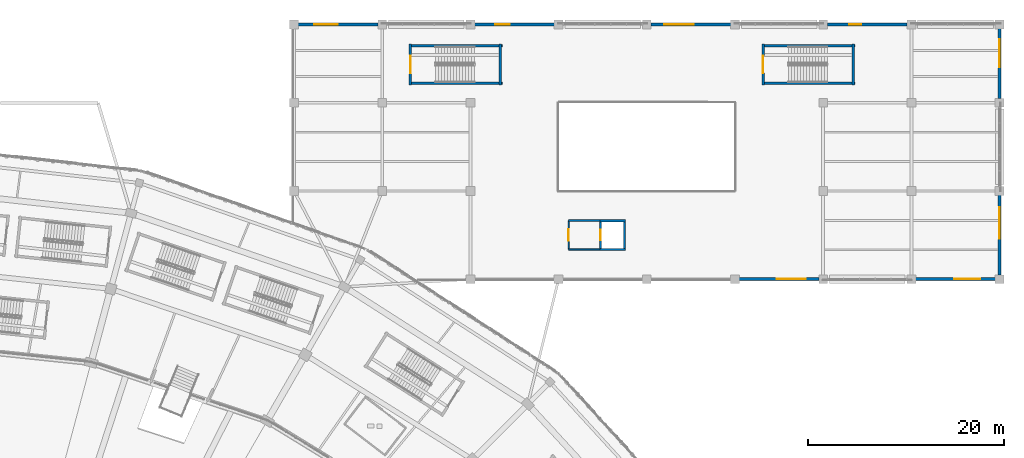
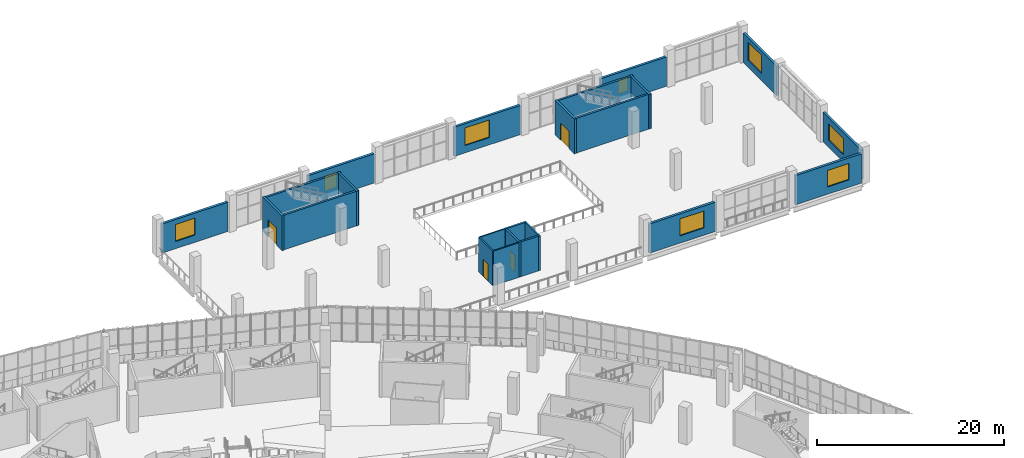
# One storey, part 112 of 183: 23 walls, 8 windows, 4 doors, 12 openings.
"""IFC4 building model written with IfcOpenShell, lengths in metres."""

import ifcopenshell
import ifcopenshell.guid

model = None  # the IFC model being written
_history = None  # IfcOwnerHistory: only IFC2X3 demands one
_inside = {}  # id of a spatial element -> (the spatial element, [elements in it])
_under = {}  # id of a project, library or spatial element -> (it, [spatial elements below it])
_declared = {}  # id of a project -> (the project, [libraries it declares])
_typed = {}  # id of a type object -> (the type object, [elements of that type])
_made_of = {}  # id of a material, layer set ... -> (it, [elements and type objects made of it])


def new_model(schema):
    """Start an empty IFC model of exactly this schema.

    Asked for "IFC4X3", IfcOpenShell would pick the latest addendum, in which some entities
    have other attributes; the version numbers below select the first issue.
    IFC2X3 requires an IfcOwnerHistory on every rooted entity: one is made here for all.
    """
    global model, _history
    if schema == "IFC4X3":
        model = ifcopenshell.file(schema_version=(4, 3, 0, 0))
    else:
        model = ifcopenshell.file(schema=schema)
    _inside.clear()
    _under.clear()
    _declared.clear()
    _typed.clear()
    _made_of.clear()
    _history = None
    if model.schema == "IFC2X3":
        org = make("IfcOrganization", Name="unknown")
        user = make(
            "IfcPersonAndOrganization",
            ThePerson=make("IfcPerson", FamilyName="unknown"),
            TheOrganization=org,
        )
        app = make(
            "IfcApplication",
            ApplicationDeveloper=org,
            Version="unknown",
            ApplicationFullName="unknown",
            ApplicationIdentifier="unknown",
        )
        _history = make(
            "IfcOwnerHistory",
            OwningUser=user,
            OwningApplication=app,
            ChangeAction="ADDED",
            CreationDate=0,
        )
    return model


def make(cls, **values):
    """One entity of the class cls with the attributes given. An attribute that is None is left unset."""
    return model.create_entity(
        cls, **{name: value for name, value in values.items() if value is not None}
    )


def rooted(cls, **values):
    """An entity with a GlobalId (a new one), such as an element, a storey or a relation."""
    return make(cls, GlobalId=ifcopenshell.guid.new(), OwnerHistory=_history, **values)


def si_unit(unit_type, name, prefix=None):
    """IfcSIUnit, for example si_unit("LENGTHUNIT", "METRE", prefix="MILLI")."""
    return make("IfcSIUnit", UnitType=unit_type, Prefix=prefix, Name=name)


def assignment(units):
    """IfcUnitAssignment: the units of a project."""
    return None if units is None else make("IfcUnitAssignment", Units=units)


def point(xyz):
    """IfcCartesianPoint."""
    return None if xyz is None else make("IfcCartesianPoint", Coordinates=xyz)


def direction(xyz):
    """IfcDirection."""
    return None if xyz is None else make("IfcDirection", DirectionRatios=xyz)


def frame(location, z_axis=None, x_axis=None):
    """IfcAxis2Placement3D, a coordinate frame: its origin and axes. An axis left out is left unset."""
    return make(
        "IfcAxis2Placement3D",
        Location=point(location),
        Axis=direction(z_axis),
        RefDirection=direction(x_axis),
    )


def frame_2d(location, x_axis=None):
    """IfcAxis2Placement2D, a coordinate frame in the plane: its origin and x axis."""
    return make(
        "IfcAxis2Placement2D", Location=point(location), RefDirection=direction(x_axis)
    )


def origin():
    """The frame at (0, 0, 0) with its axes left unset."""
    return frame((0.0, 0.0, 0.0))


def place(relative_to, where):
    """IfcLocalPlacement: puts the frame where relative to a parent placement (None: the world)."""
    return make(
        "IfcLocalPlacement", PlacementRelTo=relative_to, RelativePlacement=where
    )


def context(
    kind, dimensions, precision=None, world=None, true_north=None, identifier=None
):
    """IfcGeometricRepresentationContext, for example the 3D "Model" context."""
    return make(
        "IfcGeometricRepresentationContext",
        ContextIdentifier=identifier,
        ContextType=kind,
        CoordinateSpaceDimension=dimensions,
        Precision=precision,
        WorldCoordinateSystem=world,
        TrueNorth=true_north,
    )


def subcontext(parent, identifier, kind, view, scale=None):
    """IfcGeometricRepresentationSubContext, for example "Body" below "Model"."""
    return make(
        "IfcGeometricRepresentationSubContext",
        ContextIdentifier=identifier,
        ContextType=kind,
        ParentContext=parent,
        TargetScale=scale,
        TargetView=view,
    )


def project(units=None, contexts=None):
    """IfcProject with its units and contexts."""
    return rooted(
        "IfcProject",
        Name="project",
        RepresentationContexts=contexts,
        UnitsInContext=assignment(units),
    )


def spatial(cls, under=None, at=None, **own):
    """A site, building, storey or space (cls), placed at a placement, below another one or the project."""
    s = rooted(cls, ObjectPlacement=at, **own)
    if under is not None:
        _under.setdefault(under.id(), (under, []))[1].append(s)
    return s


def profile(cls, at=None, kind="AREA", **sizes):
    """A parametric profile (cls). Its sizes go by their IFC names, for example OverallWidth=200.0."""
    return make(cls, ProfileType=kind, Position=at, **sizes)


def rectangle(**sizes):
    """IfcRectangleProfileDef."""
    return profile("IfcRectangleProfileDef", **sizes)


def extrude(swept, where, along, depth):
    """IfcExtrudedAreaSolid: the profile swept, set in the frame where, extruded along a direction by depth."""
    return make(
        "IfcExtrudedAreaSolid",
        SweptArea=swept,
        Position=where,
        ExtrudedDirection=direction(along),
        Depth=depth,
    )


def shape(context_of_items, identifier, shape_type, items):
    """IfcShapeRepresentation: the items that make up one representation, for example the "Body"."""
    return make(
        "IfcShapeRepresentation",
        ContextOfItems=context_of_items,
        RepresentationIdentifier=identifier,
        RepresentationType=shape_type,
        Items=items,
    )


def material(Name=None, Category=None):
    """IfcMaterial."""
    return make("IfcMaterial", Name=Name, Category=Category)


def layer(
    of_material, thickness, ventilated=None, Name=None, Category=None, Priority=None
):
    """IfcMaterialLayer: one layer of a wall or slab, of a material (None: an air gap)."""
    return make(
        "IfcMaterialLayer",
        Material=of_material,
        LayerThickness=thickness,
        IsVentilated=ventilated,
        Name=Name,
        Category=Category,
        Priority=Priority,
    )


def layer_set(layers, Name=None):
    """IfcMaterialLayerSet."""
    return make("IfcMaterialLayerSet", MaterialLayers=layers, LayerSetName=Name)


def made_of(thing, what):
    """Note that an element or type object is made of a material, layer set ...; save() writes the relation."""
    if what is not None:
        _made_of.setdefault(what.id(), (what, []))[1].append(thing)
    return thing


def type_object(cls, material=None, **own):
    """A type object (cls), such as IfcWallType, which elements share."""
    return made_of(rooted(cls, **own), material)


def element(
    cls,
    number,
    at=None,
    inside=None,
    cuts=None,
    type_object=None,
    material=None,
    context=None,
    identifier="Body",
    shape_type=None,
    held_by="IfcProductDefinitionShape",
    body=None,
    shapes=None,
    **own,
):
    """One element of the class cls, such as IfcWall. Its Tag is "e" and its number.

    at: its placement. inside: the storey or other place that contains it. cuts: it is an
    opening in that element (IfcRelVoidsElement). A single representation is given by context,
    identifier, shape_type and body (its items); several are given by shapes. held_by: the class
    of the entity that holds the representations. save() writes the other relations.
    """
    e = rooted(cls, Tag="e%d" % number, ObjectPlacement=at, **own)
    if body is not None:
        shapes = [shape(context, identifier, shape_type, body)]
    if shapes is not None:
        e.Representation = make(held_by, Representations=shapes)
    if inside is not None:
        _inside.setdefault(inside.id(), (inside, []))[1].append(e)
    if cuts is not None:
        rooted(
            "IfcRelVoidsElement", RelatingBuildingElement=cuts, RelatedOpeningElement=e
        )
    if type_object is not None:
        _typed.setdefault(type_object.id(), (type_object, []))[1].append(e)
    return made_of(e, material)


def fill(opening, filler):
    """IfcRelFillsElement: the door or window that sits in an opening."""
    return rooted(
        "IfcRelFillsElement",
        RelatingOpeningElement=opening,
        RelatedBuildingElement=filler,
    )


def aggregate(whole, parts):
    """IfcRelAggregates: a whole, such as a stair, and the parts it consists of."""
    return rooted("IfcRelAggregates", RelatingObject=whole, RelatedObjects=parts)


def save(model, path):
    """Write the relations noted so far, then the file.

    IfcRelAggregates (storeys below a building ...), IfcRelContainedInSpatialStructure (elements
    in a storey), IfcRelDefinesByType, IfcRelAssociatesMaterial and IfcRelDeclares: one each for
    every whole, place, type object, material and project.
    """
    for whole, parts in _under.values():
        aggregate(whole, parts)
    for where, things in _inside.values():
        rooted(
            "IfcRelContainedInSpatialStructure",
            RelatedElements=things,
            RelatingStructure=where,
        )
    for kind, things in _typed.values():
        rooted("IfcRelDefinesByType", RelatedObjects=things, RelatingType=kind)
    for what, things in _made_of.values():
        rooted("IfcRelAssociatesMaterial", RelatedObjects=things, RelatingMaterial=what)
    for by, libraries in _declared.values():
        rooted("IfcRelDeclares", RelatingContext=by, RelatedDefinitions=libraries)
    model.write(path)


model = new_model("IFC4")

# Units and contexts
model_context = context("Model", 3, precision=1e-05, world=origin(), true_north=direction((0.0, 1.0)))
body_context = subcontext(model_context, "Body", "Model", "MODEL_VIEW")
ifc_project = project(units=[si_unit("LENGTHUNIT", "METRE"), si_unit("AREAUNIT", "SQUARE_METRE"), si_unit("VOLUMEUNIT", "CUBIC_METRE"), si_unit("PLANEANGLEUNIT", "RADIAN"), si_unit("MASSUNIT", "GRAM", prefix="KILO")], contexts=[model_context])

# Site, building, storey
site_placement = place(None, origin())
site = spatial("IfcSite", under=ifc_project, at=site_placement, CompositionType="ELEMENT")
building_placement = place(site_placement, origin())
building = spatial("IfcBuilding", under=site, at=building_placement, Name="Zevraka Park Crest Stadium", CompositionType="ELEMENT")
storey_placement = place(building_placement, frame((0.0, 0.0, 5.39990234375)))
storey = spatial("IfcBuildingStorey", under=building, at=storey_placement, Name="L01", CompositionType="ELEMENT", Elevation=5.39990234375)

# Wall, opening, window
ifc_material_1 = material(Name="Limestone and red clay brick masonry", Category="masonry")
ifc_layer_1 = layer(ifc_material_1, 0.300048828125)
ifc_layer_set_1 = layer_set([ifc_layer_1], Name="Limestone and red clay brick masonry")
wall_type_1 = type_object("IfcWallType", Name="EW02", PredefinedType="STANDARD", material=ifc_layer_set_1)
wall_1_placement = place(storey_placement, frame((152.425048828125, 184.0, 0.0), z_axis=(0.0, 0.0, 1.0), x_axis=(1.0, 0.0, 0.0)))
wall_1 = element("IfcWall", 1, at=wall_1_placement, inside=storey, type_object=wall_type_1, Name="Wing External Cavity Wall EW02 L01-NGATE-N-1", PredefinedType="STANDARD", context=body_context, shape_type="SweptSolid", body=[
    extrude(rectangle(XDim=8.14990234375, YDim=0.300048828125, at=frame_2d((4.074951171875, 0.0))), origin(), (0.0, 0.0, 1.0), 3.8037109375),
])
opening_1_placement = place(wall_1_placement, frame((1.652099609375, 0.0, 0.949951171875)))
opening_1 = element("IfcOpeningElement", 2, at=opening_1_placement, cuts=wall_1, Name="Opening WN02", PredefinedType="OPENING", context=body_context, shape_type="SweptSolid", body=[
    extrude(rectangle(XDim=2.39990234375, YDim=2.199951171875, at=frame_2d((1.199951171875, 1.10009765625))), frame((0.0, 0.159912109375, 0.0), z_axis=(0.0, -1.0, 0.0), x_axis=(1.0, 0.0, 0.0)), (0.0, 0.0, 1.0), 0.320068359375),
])
ifc_material_2 = material(Name="Solar-control laminated double glazing in aluminium frame", Category="aluminium")
window_type_1 = type_object("IfcWindowType", Name="WN02", PartitioningType="SINGLE_PANEL", PredefinedType="WINDOW", material=ifc_material_2)
window_1_placement = place(opening_1_placement, origin())
window_1 = element("IfcWindow", 3, at=window_1_placement, inside=storey, type_object=window_type_1, Name="Facade Casement Window WN02 W-L01-002", OverallHeight=2.199951171875, OverallWidth=2.39990234375, PartitioningType="SINGLE_PANEL", PredefinedType="WINDOW", context=body_context, shape_type="SweptSolid", body=[
    extrude(rectangle(XDim=2.39990234375, YDim=2.199951171875, at=frame_2d((1.199951171875, 1.10009765625))), frame((0.0, 0.030029296875, 0.0), z_axis=(0.0, -1.0, 0.0), x_axis=(1.0, 0.0, 0.0)), (0.0, 0.0, 1.0), 0.06005859375),
])
fill(opening_1, window_1)

wall_2_placement = place(storey_placement, frame((170.425048828125, 184.0, 0.0), z_axis=(0.0, 0.0, 1.0), x_axis=(1.0, 0.0, 0.0)))
wall_2 = element("IfcWall", 4, at=wall_2_placement, inside=storey, type_object=wall_type_1, Name="Wing External Cavity Wall EW02 L01-NGATE-N-3", PredefinedType="STANDARD", context=body_context, shape_type="SweptSolid", body=[
    extrude(rectangle(XDim=8.14990234375, YDim=0.300048828125, at=frame_2d((4.074951171875, 0.0))), origin(), (0.0, 0.0, 1.0), 3.8037109375),
])
opening_2_placement = place(wall_2_placement, frame((2.10205078125, 0.0, 0.949951171875)))
opening_2 = element("IfcOpeningElement", 5, at=opening_2_placement, cuts=wall_2, Name="Opening WN03", PredefinedType="OPENING", context=body_context, shape_type="SweptSolid", body=[
    extrude(rectangle(XDim=1.5, YDim=2.0, at=frame_2d((0.75, 1.0))), frame((0.0, 0.159912109375, 0.0), z_axis=(0.0, -1.0, 0.0), x_axis=(1.0, 0.0, 0.0)), (0.0, 0.0, 1.0), 0.320068359375),
])
ifc_material_3 = material(Name="Solar-control laminated double glazing in aluminium frame", Category="aluminium")
window_type_2 = type_object("IfcWindowType", Name="WN03", PartitioningType="SINGLE_PANEL", PredefinedType="WINDOW", material=ifc_material_3)
window_2_placement = place(opening_2_placement, origin())
window_2 = element("IfcWindow", 6, at=window_2_placement, inside=storey, type_object=window_type_2, Name="Facade Casement Window WN03 W-L01-003", OverallHeight=2.0, OverallWidth=1.5, PartitioningType="SINGLE_PANEL", PredefinedType="WINDOW", context=body_context, shape_type="SweptSolid", body=[
    extrude(rectangle(XDim=1.5, YDim=2.0, at=frame_2d((0.75, 1.0))), frame((0.0, 0.030029296875, 0.0), z_axis=(0.0, -1.0, 0.0), x_axis=(1.0, 0.0, 0.0)), (0.0, 0.0, 1.0), 0.06005859375),
])
fill(opening_2, window_2)

wall_3_placement = place(storey_placement, frame((188.425048828125, 184.0, 0.0), z_axis=(0.0, 0.0, 1.0), x_axis=(1.0, 0.0, 0.0)))
wall_3 = element("IfcWall", 7, at=wall_3_placement, inside=storey, type_object=wall_type_1, Name="Wing External Cavity Wall EW02 L01-NGATE-N-5", PredefinedType="STANDARD", context=body_context, shape_type="SweptSolid", body=[
    extrude(rectangle(XDim=8.14990234375, YDim=0.300048828125, at=frame_2d((4.074951171875, 0.0))), origin(), (0.0, 0.0, 1.0), 3.8037109375),
])
opening_3_placement = place(wall_3_placement, frame((1.35205078125, 0.0, 0.949951171875)))
opening_3 = element("IfcOpeningElement", 8, at=opening_3_placement, cuts=wall_3, Name="Opening WN04", PredefinedType="OPENING", context=body_context, shape_type="SweptSolid", body=[
    extrude(rectangle(XDim=3.0, YDim=2.300048828125, at=frame_2d((1.5, 1.14990234375))), frame((0.0, 0.159912109375, 0.0), z_axis=(0.0, -1.0, 0.0), x_axis=(1.0, 0.0, 0.0)), (0.0, 0.0, 1.0), 0.320068359375),
])
ifc_material_4 = material(Name="Solar-control laminated double glazing in aluminium frame", Category="aluminium")
window_type_3 = type_object("IfcWindowType", Name="WN04", PartitioningType="SINGLE_PANEL", PredefinedType="WINDOW", material=ifc_material_4)
window_3_placement = place(opening_3_placement, origin())
window_3 = element("IfcWindow", 9, at=window_3_placement, inside=storey, type_object=window_type_3, Name="Facade Casement Window WN04 W-L01-004", OverallHeight=2.300048828125, OverallWidth=3.0, PartitioningType="SINGLE_PANEL", PredefinedType="WINDOW", context=body_context, shape_type="SweptSolid", body=[
    extrude(rectangle(XDim=3.0, YDim=2.300048828125, at=frame_2d((1.5, 1.14990234375))), frame((0.0, 0.030029296875, 0.0), z_axis=(0.0, -1.0, 0.0), x_axis=(1.0, 0.0, 0.0)), (0.0, 0.0, 1.0), 0.06005859375),
])
fill(opening_3, window_3)

wall_4_placement = place(storey_placement, frame((206.425048828125, 184.0, 0.0), z_axis=(0.0, 0.0, 1.0), x_axis=(1.0, 0.0, 0.0)))
wall_4 = element("IfcWall", 10, at=wall_4_placement, inside=storey, type_object=wall_type_1, Name="Wing External Cavity Wall EW02 L01-NGATE-N-7", PredefinedType="STANDARD", context=body_context, shape_type="SweptSolid", body=[
    extrude(rectangle(XDim=8.14990234375, YDim=0.300048828125, at=frame_2d((4.074951171875, 0.0))), origin(), (0.0, 0.0, 1.0), 3.8037109375),
])
opening_4_placement = place(wall_4_placement, frame((2.251953125, 0.0, 0.949951171875)))
opening_4 = element("IfcOpeningElement", 11, at=opening_4_placement, cuts=wall_4, Name="Opening WN05", PredefinedType="OPENING", context=body_context, shape_type="SweptSolid", body=[
    extrude(rectangle(XDim=1.199951171875, YDim=1.800048828125, at=frame_2d((0.60009765625, 0.89990234375))), frame((0.0, 0.159912109375, 0.0), z_axis=(0.0, -1.0, 0.0), x_axis=(1.0, 0.0, 0.0)), (0.0, 0.0, 1.0), 0.320068359375),
])
ifc_material_5 = material(Name="Solar-control laminated double glazing in aluminium frame", Category="aluminium")
window_type_4 = type_object("IfcWindowType", Name="WN05", PartitioningType="SINGLE_PANEL", PredefinedType="WINDOW", material=ifc_material_5)
window_4_placement = place(opening_4_placement, origin())
window_4 = element("IfcWindow", 12, at=window_4_placement, inside=storey, type_object=window_type_4, Name="Facade Casement Window WN05 W-L01-005", OverallHeight=1.800048828125, OverallWidth=1.199951171875, PartitioningType="SINGLE_PANEL", PredefinedType="WINDOW", context=body_context, shape_type="SweptSolid", body=[
    extrude(rectangle(XDim=1.199951171875, YDim=1.800048828125, at=frame_2d((0.60009765625, 0.89990234375))), frame((0.0, 0.030029296875, 0.0), z_axis=(0.0, -1.0, 0.0), x_axis=(1.0, 0.0, 0.0)), (0.0, 0.0, 1.0), 0.06005859375),
])
fill(opening_4, window_4)

wall_5_placement = place(storey_placement, frame((224.0, 183.574951171875, 0.0), z_axis=(0.0, 0.0, 1.0), x_axis=(0.0, -1.0, 0.0)))
wall_5 = element("IfcWall", 13, at=wall_5_placement, inside=storey, type_object=wall_type_1, Name="Wing External Cavity Wall EW02 L01-NGATE-E-1", PredefinedType="STANDARD", context=body_context, shape_type="SweptSolid", body=[
    extrude(rectangle(XDim=7.14990234375, YDim=0.300048828125, at=frame_2d((3.574951171875, 0.0))), origin(), (0.0, 0.0, 1.0), 3.837158203125),
])
opening_5_placement = place(wall_5_placement, frame((1.076904296875, 0.0, 0.949951171875)))
opening_5 = element("IfcOpeningElement", 14, at=opening_5_placement, cuts=wall_5, Name="Opening WN13", PredefinedType="OPENING", context=body_context, shape_type="SweptSolid", body=[
    extrude(rectangle(XDim=2.85009765625, YDim=2.35009765625, at=frame_2d((1.425048828125, 1.175048828125))), frame((0.0, 0.159912109375, 0.0), z_axis=(0.0, -1.0, 0.0), x_axis=(1.0, 0.0, 0.0)), (0.0, 0.0, 1.0), 0.320068359375),
])
ifc_material_6 = material(Name="Solar-control laminated double glazing in aluminium frame", Category="aluminium")
window_type_5 = type_object("IfcWindowType", Name="WN13", PartitioningType="SINGLE_PANEL", PredefinedType="WINDOW", material=ifc_material_6)
window_5_placement = place(opening_5_placement, origin())
window_5 = element("IfcWindow", 15, at=window_5_placement, inside=storey, type_object=window_type_5, Name="Facade Casement Window WN13 W-L01-013", OverallHeight=2.35009765625, OverallWidth=2.85009765625, PartitioningType="SINGLE_PANEL", PredefinedType="WINDOW", context=body_context, shape_type="SweptSolid", body=[
    extrude(rectangle(XDim=2.85009765625, YDim=2.35009765625, at=frame_2d((1.425048828125, 1.175048828125))), frame((0.0, 0.030029296875, 0.0), z_axis=(0.0, -1.0, 0.0), x_axis=(1.0, 0.0, 0.0)), (0.0, 0.0, 1.0), 0.06005859375),
])
fill(opening_5, window_5)

wall_6_placement = place(storey_placement, frame((224.0, 166.574951171875, 0.0), z_axis=(0.0, 0.0, 1.0), x_axis=(0.0, -1.0, 0.0)))
wall_6 = element("IfcWall", 16, at=wall_6_placement, inside=storey, type_object=wall_type_1, Name="Wing External Cavity Wall EW02 L01-NGATE-E-3", PredefinedType="STANDARD", context=body_context, shape_type="SweptSolid", body=[
    extrude(rectangle(XDim=8.14990234375, YDim=0.300048828125, at=frame_2d((4.074951171875, 0.0))), origin(), (0.0, 0.0, 1.0), 3.837158203125),
])
opening_6_placement = place(wall_6_placement, frame((1.251953125, 0.0, 0.949951171875)))
opening_6 = element("IfcOpeningElement", 17, at=opening_6_placement, cuts=wall_6, Name="Opening WN14", PredefinedType="OPENING", context=body_context, shape_type="SweptSolid", body=[
    extrude(rectangle(XDim=3.199951171875, YDim=2.10009765625, at=frame_2d((1.60009765625, 1.050048828125))), frame((0.0, 0.159912109375, 0.0), z_axis=(0.0, -1.0, 0.0), x_axis=(1.0, 0.0, 0.0)), (0.0, 0.0, 1.0), 0.320068359375),
])
ifc_material_7 = material(Name="Solar-control laminated double glazing in aluminium frame", Category="aluminium")
window_type_6 = type_object("IfcWindowType", Name="WN14", PartitioningType="SINGLE_PANEL", PredefinedType="WINDOW", material=ifc_material_7)
window_6_placement = place(opening_6_placement, origin())
window_6 = element("IfcWindow", 18, at=window_6_placement, inside=storey, type_object=window_type_6, Name="Facade Casement Window WN14 W-L01-014", OverallHeight=2.10009765625, OverallWidth=3.199951171875, PartitioningType="SINGLE_PANEL", PredefinedType="WINDOW", context=body_context, shape_type="SweptSolid", body=[
    extrude(rectangle(XDim=3.199951171875, YDim=2.10009765625, at=frame_2d((1.60009765625, 1.050048828125))), frame((0.0, 0.030029296875, 0.0), z_axis=(0.0, -1.0, 0.0), x_axis=(1.0, 0.0, 0.0)), (0.0, 0.0, 1.0), 0.06005859375),
])
fill(opening_6, window_6)

wall_7_placement = place(storey_placement, frame((223.574951171875, 158.0, 0.0), z_axis=(0.0, 0.0, 1.0), x_axis=(-1.0, 0.0, 0.0)))
wall_7 = element("IfcWall", 19, at=wall_7_placement, inside=storey, type_object=wall_type_1, Name="Wing External Cavity Wall EW02 L01-NGATE-S-1", PredefinedType="STANDARD", context=body_context, shape_type="SweptSolid", body=[
    extrude(rectangle(XDim=8.14990234375, YDim=0.300048828125, at=frame_2d((4.074951171875, 0.0))), origin(), (0.0, 0.0, 1.0), 3.8037109375),
])
opening_7_placement = place(wall_7_placement, frame((1.527099609375, 0.0, 0.949951171875)))
opening_7 = element("IfcOpeningElement", 20, at=opening_7_placement, cuts=wall_7, Name="Opening WN22", PredefinedType="OPENING", context=body_context, shape_type="SweptSolid", body=[
    extrude(rectangle(XDim=2.64990234375, YDim=2.14990234375, at=frame_2d((1.324951171875, 1.074951171875))), frame((0.0, 0.159912109375, 0.0), z_axis=(0.0, -1.0, 0.0), x_axis=(1.0, 0.0, 0.0)), (0.0, 0.0, 1.0), 0.320068359375),
])
ifc_material_8 = material(Name="Solar-control laminated double glazing in aluminium frame", Category="aluminium")
window_type_7 = type_object("IfcWindowType", Name="WN22", PartitioningType="SINGLE_PANEL", PredefinedType="WINDOW", material=ifc_material_8)
window_7_placement = place(opening_7_placement, origin())
window_7 = element("IfcWindow", 21, at=window_7_placement, inside=storey, type_object=window_type_7, Name="Facade Casement Window WN22 W-L01-022", OverallHeight=2.14990234375, OverallWidth=2.64990234375, PartitioningType="SINGLE_PANEL", PredefinedType="WINDOW", context=body_context, shape_type="SweptSolid", body=[
    extrude(rectangle(XDim=2.64990234375, YDim=2.14990234375, at=frame_2d((1.324951171875, 1.074951171875))), frame((0.0, 0.030029296875, 0.0), z_axis=(0.0, -1.0, 0.0), x_axis=(1.0, 0.0, 0.0)), (0.0, 0.0, 1.0), 0.06005859375),
])
fill(opening_7, window_7)

wall_8_placement = place(storey_placement, frame((205.574951171875, 158.0, 0.0), z_axis=(0.0, 0.0, 1.0), x_axis=(-1.0, 0.0, 0.0)))
wall_8 = element("IfcWall", 22, at=wall_8_placement, inside=storey, type_object=wall_type_1, Name="Wing External Cavity Wall EW02 L01-NGATE-S-3", PredefinedType="STANDARD", context=body_context, shape_type="SweptSolid", body=[
    extrude(rectangle(XDim=8.14990234375, YDim=0.300048828125, at=frame_2d((4.074951171875, 0.0))), origin(), (0.0, 0.0, 1.0), 3.8037109375),
])
opening_8_placement = place(wall_8_placement, frame((1.376953125, 0.0, 0.949951171875)))
opening_8 = element("IfcOpeningElement", 23, at=opening_8_placement, cuts=wall_8, Name="Opening WN23", PredefinedType="OPENING", context=body_context, shape_type="SweptSolid", body=[
    extrude(rectangle(XDim=2.949951171875, YDim=2.199951171875, at=frame_2d((1.47509765625, 1.10009765625))), frame((0.0, 0.159912109375, 0.0), z_axis=(0.0, -1.0, 0.0), x_axis=(1.0, 0.0, 0.0)), (0.0, 0.0, 1.0), 0.320068359375),
])
ifc_material_9 = material(Name="Solar-control laminated double glazing in aluminium frame", Category="aluminium")
window_type_8 = type_object("IfcWindowType", Name="WN23", PartitioningType="SINGLE_PANEL", PredefinedType="WINDOW", material=ifc_material_9)
window_8_placement = place(opening_8_placement, origin())
window_8 = element("IfcWindow", 24, at=window_8_placement, inside=storey, type_object=window_type_8, Name="Facade Casement Window WN23 W-L01-023", OverallHeight=2.199951171875, OverallWidth=2.949951171875, PartitioningType="SINGLE_PANEL", PredefinedType="WINDOW", context=body_context, shape_type="SweptSolid", body=[
    extrude(rectangle(XDim=2.949951171875, YDim=2.199951171875, at=frame_2d((1.47509765625, 1.10009765625))), frame((0.0, 0.030029296875, 0.0), z_axis=(0.0, -1.0, 0.0), x_axis=(1.0, 0.0, 0.0)), (0.0, 0.0, 1.0), 0.06005859375),
])
fill(opening_8, window_8)

# Walls
ifc_material_10 = material(Name="Fire-rated twin-stud acoustic drywall", Category="other")
ifc_layer_2 = layer(ifc_material_10, 0.159912109375)
ifc_layer_set_2 = layer_set([ifc_layer_2], Name="Fire-rated twin-stud acoustic drywall")
wall_type_2 = type_object("IfcWallType", Name="IW02", PredefinedType="PARTITIONING", material=ifc_layer_set_2)
for number, where, z_axis, x_axis, name in (
    (25, (183.199951171875, 163.989990234375, 0.0), (0.0, 0.0, 1.0), (-1.0, 0.0, 0.0), "Passenger Lift Lobby Wall IW02 PL04 L01 LEFT"),
    (26, (183.199951171875, 161.010009765625, 0.0), (0.0, 0.0, 1.0), (-1.0, 0.0, 0.0), "Passenger Lift Lobby Wall IW02 PL04 L01 RIGHT"),
):
    element("IfcWall", number, at=place(storey_placement, frame(where, z_axis=z_axis, x_axis=x_axis)), inside=storey, type_object=wall_type_2, Name=name, PredefinedType="PARTITIONING", context=body_context, shape_type="SweptSolid", body=[
        extrude(rectangle(XDim=3.169921875, YDim=0.159912109375, at=frame_2d((1.5849609375, 0.0))), origin(), (0.0, 0.0, 1.0), 4.5),
    ])

# Wall, opening, door
wall_9_placement = place(storey_placement, frame((180.030029296875, 163.989990234375, 0.0), z_axis=(0.0, 0.0, 1.0), x_axis=(0.0, -1.0, 0.0)))
wall_9 = element("IfcWall", 27, at=wall_9_placement, inside=storey, type_object=wall_type_2, Name="Passenger Lift Lobby Wall IW02 PL04 L01 FRONT", PredefinedType="PARTITIONING", context=body_context, shape_type="SweptSolid", body=[
    extrude(rectangle(XDim=2.97998046875, YDim=0.159912109375, at=frame_2d((1.489990234375, 0.0))), origin(), (0.0, 0.0, 1.0), 4.5),
])
opening_9_placement = place(wall_9_placement, frame((0.9150390625, 0.0, 0.0)))
opening_9 = element("IfcOpeningElement", 28, at=opening_9_placement, cuts=wall_9, Name="Opening D-L01-326", PredefinedType="OPENING", context=body_context, shape_type="SweptSolid", body=[
    extrude(rectangle(XDim=1.14990234375, YDim=2.199951171875, at=frame_2d((0.574951171875, 1.10009765625))), frame((0.0, 0.08984375, 0.0), z_axis=(0.0, -1.0, 0.0), x_axis=(1.0, 0.0, 0.0)), (0.0, 0.0, 1.0), 0.179931640625),
])
ifc_material_11 = material(Name="Solid-core hardwood timber leaf in steel frame", Category="steel")
door_type_1 = type_object("IfcDoorType", Name="DR03", OperationType="NOTDEFINED", PredefinedType="DOOR", material=ifc_material_11)
door_1_placement = place(opening_9_placement, origin())
door_1 = element("IfcDoor", 29, at=door_1_placement, inside=storey, type_object=door_type_1, Name="Passenger Lift Lobby PL04 Door D-L01-326", OperationType="SINGLE_SWING_RIGHT", OverallHeight=2.199951171875, OverallWidth=1.14990234375, PredefinedType="DOOR", context=body_context, shape_type="SweptSolid", body=[
    extrude(rectangle(XDim=1.14990234375, YDim=2.199951171875, at=frame_2d((0.574951171875, 1.10009765625))), frame((0.0, 0.02490234375, 0.0), z_axis=(0.0, -1.0, 0.0), x_axis=(1.0, 0.0, 0.0)), (0.0, 0.0, 1.0), 0.050048828125),
])
fill(opening_9, door_1)

# Walls
ifc_material_12 = material(Name="Concrete C40/50", Category="concrete")
ifc_layer_3 = layer(ifc_material_12, 0.25)
ifc_layer_set_3 = layer_set([ifc_layer_3], Name="Concrete C40/50")
wall_type_3 = type_object("IfcWallType", Name="SW01", PredefinedType="SHEAR", material=ifc_layer_set_3)
for number, where, z_axis, x_axis, name in (
    (30, (199.75, 178.010009765625, 0.0), (0.0, 0.0, 1.0), (1.0, 0.0, 0.0), "Stair Core Shear Wall SW01 ST45 L01 left"),
    (31, (209.25, 181.830078125, 0.0), (0.0, 0.0, 1.0), (-1.0, 0.0, 0.0), "Stair Core Shear Wall SW01 ST45 L01 right"),
):
    element("IfcWall", number, at=place(storey_placement, frame(where, z_axis=z_axis, x_axis=x_axis)), inside=storey, type_object=wall_type_3, Name=name, PredefinedType="SHEAR", context=body_context, shape_type="SweptSolid", body=[
        extrude(rectangle(XDim=9.5, YDim=0.25, at=frame_2d((4.75, 0.0))), origin(), (0.0, 0.0, 1.0), 4.52001953125),
    ])

# Wall, opening, door
wall_10_placement = place(storey_placement, frame((199.875, 182.0, 0.0), z_axis=(0.0, 0.0, 1.0), x_axis=(0.0, -1.0, 0.0)))
wall_10 = element("IfcWall", 32, at=wall_10_placement, inside=storey, type_object=wall_type_3, Name="Stair Core Shear Wall SW01 ST45 L01 near", PredefinedType="SHEAR", context=body_context, shape_type="SweptSolid", body=[
    extrude(rectangle(XDim=4.159912109375, YDim=0.25, at=frame_2d((2.080078125, 0.0))), origin(), (0.0, 0.0, 1.0), 4.52001953125),
])
opening_10_placement = place(wall_10_placement, frame((1.179931640625, 0.0, 0.0)))
opening_10 = element("IfcOpeningElement", 33, at=opening_10_placement, cuts=wall_10, Name="Opening D-L01-235", PredefinedType="OPENING", context=body_context, shape_type="SweptSolid", body=[
    extrude(rectangle(XDim=1.800048828125, YDim=2.25, at=frame_2d((0.89990234375, 1.125))), frame((0.0, 0.135009765625, 0.0), z_axis=(0.0, -1.0, 0.0), x_axis=(1.0, 0.0, 0.0)), (0.0, 0.0, 1.0), 0.27001953125),
])
ifc_material_13 = material(Name="Solid-core hardwood timber leaf in steel frame", Category="steel")
door_type_2 = type_object("IfcDoorType", Name="DR04", OperationType="NOTDEFINED", PredefinedType="DOOR", material=ifc_material_13)
door_2_placement = place(opening_10_placement, origin())
door_2 = element("IfcDoor", 34, at=door_2_placement, inside=storey, type_object=door_type_2, Name="Protected Stair Entry Door ST45 L01", OperationType="DOUBLE_DOOR_SINGLE_SWING", OverallHeight=2.25, OverallWidth=1.800048828125, PredefinedType="DOOR", context=body_context, shape_type="SweptSolid", body=[
    extrude(rectangle(XDim=1.800048828125, YDim=2.25, at=frame_2d((0.89990234375, 1.125))), frame((0.0, 0.02490234375, 0.0), z_axis=(0.0, -1.0, 0.0), x_axis=(1.0, 0.0, 0.0)), (0.0, 0.0, 1.0), 0.050048828125),
])
fill(opening_10, door_2)

# Walls
wall_11_placement = place(storey_placement, frame((209.06494140625, 177.840087890625, 0.0), z_axis=(0.0, 0.0, 1.0), x_axis=(0.0, 1.0, 0.0)))
element("IfcWall", 35, at=wall_11_placement, inside=storey, type_object=wall_type_3, Name="Stair Core Shear Wall SW01 ST45 L01 far", PredefinedType="SHEAR", context=body_context, shape_type="SweptSolid", body=[
    extrude(rectangle(XDim=4.159912109375, YDim=0.25, at=frame_2d((2.080078125, 0.0))), origin(), (0.0, 0.0, 1.0), 4.52001953125),
])
for number, where, z_axis, x_axis, name in (
    (36, (163.75, 178.010009765625, 0.0), (0.0, 0.0, 1.0), (1.0, 0.0, 0.0), "Stair Core Shear Wall SW01 ST46 L01 left"),
    (37, (173.25, 181.830078125, 0.0), (0.0, 0.0, 1.0), (-1.0, 0.0, 0.0), "Stair Core Shear Wall SW01 ST46 L01 right"),
):
    element("IfcWall", number, at=place(storey_placement, frame(where, z_axis=z_axis, x_axis=x_axis)), inside=storey, type_object=wall_type_3, Name=name, PredefinedType="SHEAR", context=body_context, shape_type="SweptSolid", body=[
        extrude(rectangle(XDim=9.5, YDim=0.25, at=frame_2d((4.75, 0.0))), origin(), (0.0, 0.0, 1.0), 4.52001953125),
    ])

# Wall, opening, door
wall_12_placement = place(storey_placement, frame((163.875, 182.0, 0.0), z_axis=(0.0, 0.0, 1.0), x_axis=(0.0, -1.0, 0.0)))
wall_12 = element("IfcWall", 38, at=wall_12_placement, inside=storey, type_object=wall_type_3, Name="Stair Core Shear Wall SW01 ST46 L01 near", PredefinedType="SHEAR", context=body_context, shape_type="SweptSolid", body=[
    extrude(rectangle(XDim=4.159912109375, YDim=0.25, at=frame_2d((2.080078125, 0.0))), origin(), (0.0, 0.0, 1.0), 4.52001953125),
])
opening_11_placement = place(wall_12_placement, frame((1.179931640625, 0.0, 0.0)))
opening_11 = element("IfcOpeningElement", 39, at=opening_11_placement, cuts=wall_12, Name="Opening D-L01-240", PredefinedType="OPENING", context=body_context, shape_type="SweptSolid", body=[
    extrude(rectangle(XDim=1.800048828125, YDim=2.25, at=frame_2d((0.89990234375, 1.125))), frame((0.0, 0.135009765625, 0.0), z_axis=(0.0, -1.0, 0.0), x_axis=(1.0, 0.0, 0.0)), (0.0, 0.0, 1.0), 0.27001953125),
])
door_3_placement = place(opening_11_placement, origin())
door_3 = element("IfcDoor", 40, at=door_3_placement, inside=storey, type_object=door_type_2, Name="Protected Stair Entry Door ST46 L01", OperationType="DOUBLE_DOOR_SINGLE_SWING", OverallHeight=2.25, OverallWidth=1.800048828125, PredefinedType="DOOR", context=body_context, shape_type="SweptSolid", body=[
    extrude(rectangle(XDim=1.800048828125, YDim=2.25, at=frame_2d((0.89990234375, 1.125))), frame((0.0, 0.02490234375, 0.0), z_axis=(0.0, -1.0, 0.0), x_axis=(1.0, 0.0, 0.0)), (0.0, 0.0, 1.0), 0.050048828125),
])
fill(opening_11, door_3)

# Walls
wall_13_placement = place(storey_placement, frame((173.06494140625, 177.840087890625, 0.0), z_axis=(0.0, 0.0, 1.0), x_axis=(0.0, 1.0, 0.0)))
element("IfcWall", 41, at=wall_13_placement, inside=storey, type_object=wall_type_3, Name="Stair Core Shear Wall SW01 ST46 L01 far", PredefinedType="SHEAR", context=body_context, shape_type="SweptSolid", body=[
    extrude(rectangle(XDim=4.159912109375, YDim=0.25, at=frame_2d((2.080078125, 0.0))), origin(), (0.0, 0.0, 1.0), 4.52001953125),
])
ifc_material_14 = material(Name="Concrete C40/50", Category="concrete")
ifc_layer_4 = layer(ifc_material_14, 0.219970703125)
ifc_layer_set_4 = layer_set([ifc_layer_4], Name="Concrete C40/50")
wall_type_4 = type_object("IfcWallType", Name="SW02", PredefinedType="SHEAR", material=ifc_layer_set_4)
wall_14_placement = place(storey_placement, frame((183.179931640625, 161.0400390625, 0.0), z_axis=(0.0, 0.0, 1.0), x_axis=(1.0, 0.0, 0.0)))
element("IfcWall", 42, at=wall_14_placement, inside=storey, type_object=wall_type_4, Name="Lift Shaft Shear Wall SW02 PL04 L01-1", PredefinedType="SHEAR", context=body_context, shape_type="SweptSolid", body=[
    extrude(rectangle(XDim=2.64013671875, YDim=0.219970703125, at=frame_2d((1.320068359375, 0.0))), origin(), (0.0, 0.0, 1.0), 4.52001953125),
])
wall_15_placement = place(storey_placement, frame((185.7099609375, 160.929931640625, 0.0), z_axis=(0.0, 0.0, 1.0), x_axis=(0.0, 1.0, 0.0)))
element("IfcWall", 43, at=wall_15_placement, inside=storey, type_object=wall_type_4, Name="Lift Shaft Shear Wall SW02 PL04 L01-2", PredefinedType="SHEAR", context=body_context, shape_type="SweptSolid", body=[
    extrude(rectangle(XDim=3.14013671875, YDim=0.219970703125, at=frame_2d((1.570068359375, 0.0))), origin(), (0.0, 0.0, 1.0), 4.52001953125),
])
wall_16_placement = place(storey_placement, frame((185.820068359375, 163.9599609375, 0.0), z_axis=(0.0, 0.0, 1.0), x_axis=(-1.0, 0.0, 0.0)))
element("IfcWall", 44, at=wall_16_placement, inside=storey, type_object=wall_type_4, Name="Lift Shaft Shear Wall SW02 PL04 L01-3", PredefinedType="SHEAR", context=body_context, shape_type="SweptSolid", body=[
    extrude(rectangle(XDim=2.64013671875, YDim=0.219970703125, at=frame_2d((1.320068359375, 0.0))), origin(), (0.0, 0.0, 1.0), 4.52001953125),
])

# Wall, opening, door
wall_17_placement = place(storey_placement, frame((183.2900390625, 164.070068359375, 0.0), z_axis=(0.0, 0.0, 1.0), x_axis=(0.0, -1.0, 0.0)))
wall_17 = element("IfcWall", 45, at=wall_17_placement, inside=storey, type_object=wall_type_4, Name="Lift Shaft Shear Wall SW02 PL04 L01-4", PredefinedType="SHEAR", context=body_context, shape_type="SweptSolid", body=[
    extrude(rectangle(XDim=3.14013671875, YDim=0.219970703125, at=frame_2d((1.570068359375, 0.0))), origin(), (0.0, 0.0, 1.0), 4.52001953125),
])
opening_12_placement = place(wall_17_placement, frame((1.02001953125, 0.0, 0.0)))
opening_12 = element("IfcOpeningElement", 46, at=opening_12_placement, cuts=wall_17, Name="Opening LD-PL04-L01", PredefinedType="OPENING", context=body_context, shape_type="SweptSolid", body=[
    extrude(rectangle(XDim=1.10009765625, YDim=2.14990234375, at=frame_2d((0.550048828125, 1.074951171875))), frame((0.0, 0.119873046875, 0.0), z_axis=(0.0, -1.0, 0.0), x_axis=(1.0, 0.0, 0.0)), (0.0, 0.0, 1.0), 0.239990234375),
])
ifc_material_15 = material(Name="Brushed stainless steel lift landing doors", Category="steel")
door_type_3 = type_object("IfcDoorType", Name="LD02", OperationType="NOTDEFINED", PredefinedType="DOOR", material=ifc_material_15)
door_4_placement = place(opening_12_placement, origin())
door_4 = element("IfcDoor", 47, at=door_4_placement, inside=storey, type_object=door_type_3, Name="Lift Sliding Landing Door LD-PL04-L01", OperationType="SLIDING_TO_LEFT", OverallHeight=2.14990234375, OverallWidth=1.10009765625, PredefinedType="DOOR", context=body_context, shape_type="SweptSolid", body=[
    extrude(rectangle(XDim=1.10009765625, YDim=2.14990234375, at=frame_2d((0.550048828125, 1.074951171875))), frame((0.0, 0.02490234375, 0.0), z_axis=(0.0, -1.0, 0.0), x_axis=(1.0, 0.0, 0.0)), (0.0, 0.0, 1.0), 0.050048828125),
])
fill(opening_12, door_4)

save(model, "model.ifc")
